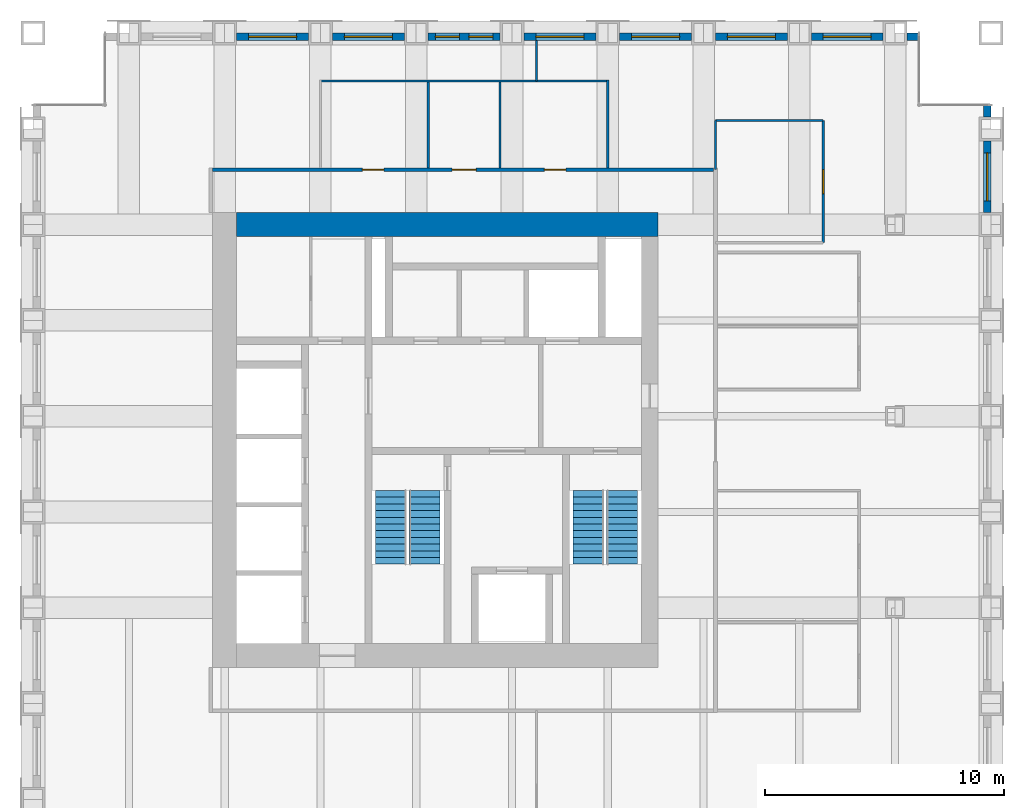
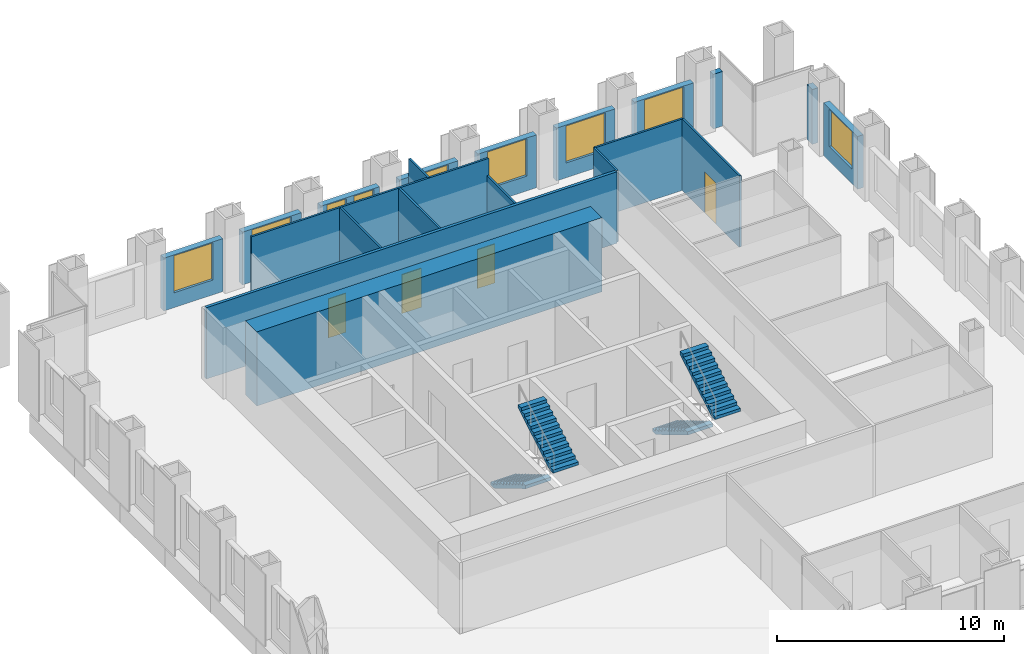
# One storey, part 10 of 11: 20 walls, 9 windows, 4 doors, 4 stair flights, 13 openings, 2 elements without a shape of their own.
"""IFC4 building model written with IfcOpenShell, lengths in metres."""

from ifc_helpers import new_model, si_unit, direction, frame, frame_2d, origin, place, context, subcontext, project, spatial, polyline, rectangle, outline, extrude, material, layer, layer_set, type_object, element, fill, aggregate, save


model = new_model("IFC4")

# Units and contexts
model_context = context("Model", 3, precision=1e-05, world=origin(), true_north=direction((0.0, 1.0)))
body_context = subcontext(model_context, "Body", "Model", "MODEL_VIEW")
ifc_project = project(units=[si_unit("LENGTHUNIT", "METRE"), si_unit("AREAUNIT", "SQUARE_METRE"), si_unit("VOLUMEUNIT", "CUBIC_METRE"), si_unit("PLANEANGLEUNIT", "RADIAN"), si_unit("MASSUNIT", "GRAM", prefix="KILO")], contexts=[model_context])

# Site, building, storey
site_placement = place(None, origin())
site = spatial("IfcSite", under=ifc_project, at=site_placement, CompositionType="ELEMENT")
building_placement = place(site_placement, origin())
building = spatial("IfcBuilding", under=site, at=building_placement, Name="Rimbunsela Tower", CompositionType="ELEMENT")
storey_placement = place(building_placement, frame((0.0, 0.0, 250.199951171875)))
storey = spatial("IfcBuildingStorey", under=building, at=storey_placement, Name="L60", CompositionType="ELEMENT", Elevation=250.199951171875)

# Walls
ifc_material_1 = material(Name="Concrete fc' 80 MPa", Category="concrete")
ifc_layer_1 = layer(ifc_material_1, 1.0)
ifc_layer_set_1 = layer_set([ifc_layer_1], Name="Core wall 1000")
wall_type_1 = type_object("IfcWallType", Name="Core wall 1000", PredefinedType="SHEAR", material=ifc_layer_set_1)
wall_1_placement = place(storey_placement, frame((18.5, 36.0, -0.14990234375), z_axis=(0.0, 0.0, 1.0), x_axis=(1.0, 0.0, 0.0)))
element("IfcWall", 1, at=wall_1_placement, inside=storey, type_object=wall_type_1, Name="Core wall north", PredefinedType="SHEAR", context=body_context, shape_type="SweptSolid", body=[
    extrude(rectangle(XDim=17.60009765625, YDim=1.0, at=frame_2d((8.800048828125, 0.0))), origin(), (0.0, 0.0, 1.0), 4.0),
])
ifc_material_2 = material(Name="Gypsum board on steel studs", Category="steel")
ifc_layer_2 = layer(ifc_material_2, 0.10009765625)
ifc_layer_set_2 = layer_set([ifc_layer_2], Name="Office partition 100")
wall_type_2 = type_object("IfcWallType", Name="Office partition 100", PredefinedType="PARTITIONING", material=ifc_layer_set_2)
wall_2_placement = place(storey_placement, frame((31.02490234375, 43.699951171875, 0.0), z_axis=(0.0, 0.0, 1.0), x_axis=(0.0, -1.0, 0.0)))
element("IfcWall", 2, at=wall_2_placement, inside=storey, type_object=wall_type_2, Name="Office partition", PredefinedType="PARTITIONING", context=body_context, shape_type="SweptSolid", body=[
    extrude(rectangle(XDim=1.699951171875, YDim=0.10009765625, at=frame_2d((0.85009765625, 0.0))), origin(), (0.0, 0.0, 1.0), 3.85009765625),
])

# Wall, opening, door
wall_3_placement = place(storey_placement, frame((43.0, 35.25, 0.0), z_axis=(0.0, 0.0, 1.0), x_axis=(0.0, 1.0, 0.0)))
wall_3 = element("IfcWall", 3, at=wall_3_placement, inside=storey, type_object=wall_type_2, Name="Office partition", PredefinedType="PARTITIONING", context=body_context, shape_type="SweptSolid", body=[
    extrude(rectangle(XDim=5.10009765625, YDim=0.10009765625, at=frame_2d((2.550048828125, 0.0))), origin(), (0.0, 0.0, 1.0), 3.85009765625),
])
opening_1_placement = place(wall_3_placement, frame((2.050048828125, 0.0, 0.0)))
opening_1 = element("IfcOpeningElement", 4, at=opening_1_placement, cuts=wall_3, Name="Opening D17", PredefinedType="OPENING", context=body_context, shape_type="SweptSolid", body=[
    extrude(rectangle(XDim=1.0, YDim=2.199951171875, at=frame_2d((0.5, 1.10009765625))), frame((0.0, 0.06005859375, 0.0), z_axis=(0.0, -1.0, 0.0), x_axis=(1.0, 0.0, 0.0)), (0.0, 0.0, 1.0), 0.1201171875),
])
ifc_material_3 = material(Name="Glazed aluminium door", Category="aluminium")
door_type_1 = type_object("IfcDoorType", Name="Meeting room door 1000 glazed", OperationType="SINGLE_SWING_RIGHT", PredefinedType="DOOR", material=ifc_material_3)
door_1_placement = place(opening_1_placement, origin())
door_1 = element("IfcDoor", 5, at=door_1_placement, inside=storey, type_object=door_type_1, Name="Reception door", OperationType="SINGLE_SWING_RIGHT", OverallHeight=2.199951171875, OverallWidth=1.0, PredefinedType="DOOR", context=body_context, shape_type="SweptSolid", body=[
    extrude(rectangle(XDim=1.0, YDim=2.199951171875, at=frame_2d((0.5, 1.10009765625))), frame((0.0, 0.02490234375, 0.0), z_axis=(0.0, -1.0, 0.0), x_axis=(1.0, 0.0, 0.0)), (0.0, 0.0, 1.0), 0.050048828125),
])
fill(opening_1, door_1)

# Walls
wall_4_placement = place(storey_placement, frame((43.0, 40.35009765625, 0.0), z_axis=(0.0, 0.0, 1.0), x_axis=(-1.0, 0.0, 0.0)))
element("IfcWall", 6, at=wall_4_placement, inside=storey, type_object=wall_type_2, Name="Office partition", PredefinedType="PARTITIONING", context=body_context, shape_type="SweptSolid", body=[
    extrude(rectangle(XDim=4.5, YDim=0.10009765625, at=frame_2d((2.25, 0.0))), origin(), (0.0, 0.0, 1.0), 3.85009765625),
])
wall_5_placement = place(storey_placement, frame((38.5, 40.35009765625, 0.0), z_axis=(0.0, 0.0, 1.0), x_axis=(0.0, -1.0, 0.0)))
element("IfcWall", 7, at=wall_5_placement, inside=storey, type_object=wall_type_2, Name="Office partition", PredefinedType="PARTITIONING", context=body_context, shape_type="SweptSolid", body=[
    extrude(rectangle(XDim=2.050048828125, YDim=0.10009765625, at=frame_2d((1.02490234375, 0.0))), origin(), (0.0, 0.0, 1.0), 3.85009765625),
])

# Wall, opening, window
ifc_material_4 = material(Name="Precast concrete fc' 35 MPa", Category="concrete")
ifc_layer_3 = layer(ifc_material_4, 0.300048828125)
ifc_layer_set_3 = layer_set([ifc_layer_3], Name="Precast concrete fc' 35 MPa")
wall_type_3 = type_object("IfcWallType", Name="Precast facade panel 300", PredefinedType="ELEMENTEDWALL", material=ifc_layer_set_3)
wall_6_placement = place(storey_placement, frame((49.85009765625, 36.5, 0.0), z_axis=(0.0, 0.0, 1.0), x_axis=(0.0, 1.0, 0.0)))
wall_6 = element("IfcWall", 8, at=wall_6_placement, inside=storey, type_object=wall_type_3, Name="Facade panel E L60", PredefinedType="ELEMENTEDWALL", context=body_context, shape_type="SweptSolid", body=[
    extrude(rectangle(XDim=3.0, YDim=0.300048828125, at=frame_2d((1.5, 0.0))), origin(), (0.0, 0.0, 1.0), 2.85009765625),
])
opening_2_placement = place(wall_6_placement, frame((0.5, 0.0, 0.800048828125)))
opening_2 = element("IfcOpeningElement", 9, at=opening_2_placement, cuts=wall_6, Name="Opening W1", PredefinedType="OPENING", context=body_context, shape_type="SweptSolid", body=[
    extrude(rectangle(XDim=2.0, YDim=2.0, at=frame_2d((1.0, 1.0))), frame((0.0, 0.159912109375, 0.0), z_axis=(0.0, -1.0, 0.0), x_axis=(1.0, 0.0, 0.0)), (0.0, 0.0, 1.0), 0.320068359375),
])
ifc_material_5 = material(Name="Clear glass in aluminium frame", Category="aluminium")
window_type_1 = type_object("IfcWindowType", Name="Window W1 2000x2000", PartitioningType="DOUBLE_PANEL_VERTICAL", PredefinedType="WINDOW", material=ifc_material_5)
window_1_placement = place(opening_2_placement, origin())
window_1 = element("IfcWindow", 10, at=window_1_placement, inside=storey, type_object=window_type_1, Name="Window L60", OverallHeight=2.0, OverallWidth=2.0, PartitioningType="SINGLE_PANEL", PredefinedType="WINDOW", context=body_context, shape_type="SweptSolid", body=[
    extrude(rectangle(XDim=2.0, YDim=2.0, at=frame_2d((1.0, 1.0))), frame((0.0, 0.030029296875, 0.0), z_axis=(0.0, -1.0, 0.0), x_axis=(1.0, 0.0, 0.0)), (0.0, 0.0, 1.0), 0.06005859375),
])
fill(opening_2, window_1)

# Wall
wall_7_placement = place(storey_placement, frame((49.85009765625, 40.5, 0.0), z_axis=(0.0, 0.0, 1.0), x_axis=(0.0, 1.0, 0.0)))
element("IfcWall", 11, at=wall_7_placement, inside=storey, type_object=wall_type_3, Name="Facade panel E L60", PredefinedType="ELEMENTEDWALL", context=body_context, shape_type="SweptSolid", body=[
    extrude(rectangle(XDim=0.469970703125, YDim=0.300048828125, at=frame_2d((0.23486328125, 0.0))), origin(), (0.0, 0.0, 1.0), 2.949951171875),
])

# Wall, opening, window
wall_8_placement = place(storey_placement, frame((21.5, 43.85009765625, 0.0), z_axis=(0.0, 0.0, 1.0), x_axis=(-1.0, 0.0, 0.0)))
wall_8 = element("IfcWall", 12, at=wall_8_placement, inside=storey, type_object=wall_type_3, Name="Facade panel N L60", PredefinedType="ELEMENTEDWALL", context=body_context, shape_type="SweptSolid", body=[
    extrude(rectangle(XDim=3.0, YDim=0.300048828125, at=frame_2d((1.5, 0.0))), origin(), (0.0, 0.0, 1.0), 2.85009765625),
])
opening_3_placement = place(wall_8_placement, frame((0.5, 0.0, 0.800048828125)))
opening_3 = element("IfcOpeningElement", 13, at=opening_3_placement, cuts=wall_8, Name="Opening W1", PredefinedType="OPENING", context=body_context, shape_type="SweptSolid", body=[
    extrude(rectangle(XDim=2.0, YDim=2.0, at=frame_2d((1.0, 1.0))), frame((0.0, 0.159912109375, 0.0), z_axis=(0.0, -1.0, 0.0), x_axis=(1.0, 0.0, 0.0)), (0.0, 0.0, 1.0), 0.320068359375),
])
window_2_placement = place(opening_3_placement, origin())
window_2 = element("IfcWindow", 14, at=window_2_placement, inside=storey, type_object=window_type_1, Name="Window L60", OverallHeight=2.0, OverallWidth=2.0, PartitioningType="SINGLE_PANEL", PredefinedType="WINDOW", context=body_context, shape_type="SweptSolid", body=[
    extrude(rectangle(XDim=2.0, YDim=2.0, at=frame_2d((1.0, 1.0))), frame((0.0, 0.030029296875, 0.0), z_axis=(0.0, -1.0, 0.0), x_axis=(1.0, 0.0, 0.0)), (0.0, 0.0, 1.0), 0.06005859375),
])
fill(opening_3, window_2)

wall_9_placement = place(storey_placement, frame((25.5, 43.85009765625, 0.0), z_axis=(0.0, 0.0, 1.0), x_axis=(-1.0, 0.0, 0.0)))
wall_9 = element("IfcWall", 15, at=wall_9_placement, inside=storey, type_object=wall_type_3, Name="Facade panel N L60", PredefinedType="ELEMENTEDWALL", context=body_context, shape_type="SweptSolid", body=[
    extrude(rectangle(XDim=3.0, YDim=0.300048828125, at=frame_2d((1.5, 0.0))), origin(), (0.0, 0.0, 1.0), 2.85009765625),
])
opening_4_placement = place(wall_9_placement, frame((0.5, 0.0, 0.800048828125)))
opening_4 = element("IfcOpeningElement", 16, at=opening_4_placement, cuts=wall_9, Name="Opening W1", PredefinedType="OPENING", context=body_context, shape_type="SweptSolid", body=[
    extrude(rectangle(XDim=2.0, YDim=2.0, at=frame_2d((1.0, 1.0))), frame((0.0, 0.159912109375, 0.0), z_axis=(0.0, -1.0, 0.0), x_axis=(1.0, 0.0, 0.0)), (0.0, 0.0, 1.0), 0.320068359375),
])
window_3_placement = place(opening_4_placement, origin())
window_3 = element("IfcWindow", 17, at=window_3_placement, inside=storey, type_object=window_type_1, Name="Window L60", OverallHeight=2.0, OverallWidth=2.0, PartitioningType="SINGLE_PANEL", PredefinedType="WINDOW", context=body_context, shape_type="SweptSolid", body=[
    extrude(rectangle(XDim=2.0, YDim=2.0, at=frame_2d((1.0, 1.0))), frame((0.0, 0.030029296875, 0.0), z_axis=(0.0, -1.0, 0.0), x_axis=(1.0, 0.0, 0.0)), (0.0, 0.0, 1.0), 0.06005859375),
])
fill(opening_4, window_3)

# Wall, openings, windows
wall_10_placement = place(storey_placement, frame((29.5, 43.85009765625, 0.0), z_axis=(0.0, 0.0, 1.0), x_axis=(-1.0, 0.0, 0.0)))
wall_10 = element("IfcWall", 18, at=wall_10_placement, inside=storey, type_object=wall_type_3, Name="Facade panel N L60", PredefinedType="ELEMENTEDWALL", context=body_context, shape_type="SweptSolid", body=[
    extrude(rectangle(XDim=3.0, YDim=0.300048828125, at=frame_2d((1.5, 0.0))), origin(), (0.0, 0.0, 1.0), 2.85009765625),
])
opening_5_placement = place(wall_10_placement, frame((1.699951171875, 0.0, 0.800048828125)))
opening_5 = element("IfcOpeningElement", 19, at=opening_5_placement, cuts=wall_10, Name="Opening W5", PredefinedType="OPENING", context=body_context, shape_type="SweptSolid", body=[
    extrude(rectangle(XDim=1.0, YDim=2.0, at=frame_2d((0.5, 1.0))), frame((0.0, 0.159912109375, 0.0), z_axis=(0.0, -1.0, 0.0), x_axis=(1.0, 0.0, 0.0)), (0.0, 0.0, 1.0), 0.320068359375),
])
opening_6_placement = place(wall_10_placement, frame((0.300048828125, 0.0, 0.800048828125)))
opening_6 = element("IfcOpeningElement", 20, at=opening_6_placement, cuts=wall_10, Name="Opening W5", PredefinedType="OPENING", context=body_context, shape_type="SweptSolid", body=[
    extrude(rectangle(XDim=1.0, YDim=2.0, at=frame_2d((0.5, 1.0))), frame((0.0, 0.159912109375, 0.0), z_axis=(0.0, -1.0, 0.0), x_axis=(1.0, 0.0, 0.0)), (0.0, 0.0, 1.0), 0.320068359375),
])
ifc_material_6 = material(Name="Clear glass in aluminium frame", Category="aluminium")
window_type_2 = type_object("IfcWindowType", Name="Window W5 1000x2000", PartitioningType="SINGLE_PANEL", PredefinedType="WINDOW", material=ifc_material_6)
window_4_placement = place(opening_5_placement, origin())
window_4 = element("IfcWindow", 21, at=window_4_placement, inside=storey, type_object=window_type_2, Name="Window L60", OverallHeight=2.0, OverallWidth=1.0, PartitioningType="SINGLE_PANEL", PredefinedType="WINDOW", context=body_context, shape_type="SweptSolid", body=[
    extrude(rectangle(XDim=1.0, YDim=2.0, at=frame_2d((0.5, 1.0))), frame((0.0, 0.030029296875, 0.0), z_axis=(0.0, -1.0, 0.0), x_axis=(1.0, 0.0, 0.0)), (0.0, 0.0, 1.0), 0.06005859375),
])
fill(opening_5, window_4)
window_5_placement = place(opening_6_placement, origin())
window_5 = element("IfcWindow", 22, at=window_5_placement, inside=storey, type_object=window_type_2, Name="Window L60", OverallHeight=2.0, OverallWidth=1.0, PartitioningType="SINGLE_PANEL", PredefinedType="WINDOW", context=body_context, shape_type="SweptSolid", body=[
    extrude(rectangle(XDim=1.0, YDim=2.0, at=frame_2d((0.5, 1.0))), frame((0.0, 0.030029296875, 0.0), z_axis=(0.0, -1.0, 0.0), x_axis=(1.0, 0.0, 0.0)), (0.0, 0.0, 1.0), 0.06005859375),
])
fill(opening_6, window_5)

# Wall, opening, window
wall_11_placement = place(storey_placement, frame((33.5, 43.85009765625, 0.0), z_axis=(0.0, 0.0, 1.0), x_axis=(-1.0, 0.0, 0.0)))
wall_11 = element("IfcWall", 23, at=wall_11_placement, inside=storey, type_object=wall_type_3, Name="Facade panel N L60", PredefinedType="ELEMENTEDWALL", context=body_context, shape_type="SweptSolid", body=[
    extrude(rectangle(XDim=3.0, YDim=0.300048828125, at=frame_2d((1.5, 0.0))), origin(), (0.0, 0.0, 1.0), 2.85009765625),
])
opening_7_placement = place(wall_11_placement, frame((0.5, 0.0, 0.800048828125)))
opening_7 = element("IfcOpeningElement", 24, at=opening_7_placement, cuts=wall_11, Name="Opening W1", PredefinedType="OPENING", context=body_context, shape_type="SweptSolid", body=[
    extrude(rectangle(XDim=2.0, YDim=2.0, at=frame_2d((1.0, 1.0))), frame((0.0, 0.159912109375, 0.0), z_axis=(0.0, -1.0, 0.0), x_axis=(1.0, 0.0, 0.0)), (0.0, 0.0, 1.0), 0.320068359375),
])
window_6_placement = place(opening_7_placement, origin())
window_6 = element("IfcWindow", 25, at=window_6_placement, inside=storey, type_object=window_type_1, Name="Window L60", OverallHeight=2.0, OverallWidth=2.0, PartitioningType="SINGLE_PANEL", PredefinedType="WINDOW", context=body_context, shape_type="SweptSolid", body=[
    extrude(rectangle(XDim=2.0, YDim=2.0, at=frame_2d((1.0, 1.0))), frame((0.0, 0.030029296875, 0.0), z_axis=(0.0, -1.0, 0.0), x_axis=(1.0, 0.0, 0.0)), (0.0, 0.0, 1.0), 0.06005859375),
])
fill(opening_7, window_6)

wall_12_placement = place(storey_placement, frame((37.5, 43.85009765625, 0.0), z_axis=(0.0, 0.0, 1.0), x_axis=(-1.0, 0.0, 0.0)))
wall_12 = element("IfcWall", 26, at=wall_12_placement, inside=storey, type_object=wall_type_3, Name="Facade panel N L60", PredefinedType="ELEMENTEDWALL", context=body_context, shape_type="SweptSolid", body=[
    extrude(rectangle(XDim=3.0, YDim=0.300048828125, at=frame_2d((1.5, 0.0))), origin(), (0.0, 0.0, 1.0), 2.85009765625),
])
opening_8_placement = place(wall_12_placement, frame((0.5, 0.0, 0.800048828125)))
opening_8 = element("IfcOpeningElement", 27, at=opening_8_placement, cuts=wall_12, Name="Opening W1", PredefinedType="OPENING", context=body_context, shape_type="SweptSolid", body=[
    extrude(rectangle(XDim=2.0, YDim=2.0, at=frame_2d((1.0, 1.0))), frame((0.0, 0.159912109375, 0.0), z_axis=(0.0, -1.0, 0.0), x_axis=(1.0, 0.0, 0.0)), (0.0, 0.0, 1.0), 0.320068359375),
])
window_7_placement = place(opening_8_placement, origin())
window_7 = element("IfcWindow", 28, at=window_7_placement, inside=storey, type_object=window_type_1, Name="Window L60", OverallHeight=2.0, OverallWidth=2.0, PartitioningType="SINGLE_PANEL", PredefinedType="WINDOW", context=body_context, shape_type="SweptSolid", body=[
    extrude(rectangle(XDim=2.0, YDim=2.0, at=frame_2d((1.0, 1.0))), frame((0.0, 0.030029296875, 0.0), z_axis=(0.0, -1.0, 0.0), x_axis=(1.0, 0.0, 0.0)), (0.0, 0.0, 1.0), 0.06005859375),
])
fill(opening_8, window_7)

wall_13_placement = place(storey_placement, frame((41.5, 43.85009765625, 0.0), z_axis=(0.0, 0.0, 1.0), x_axis=(-1.0, 0.0, 0.0)))
wall_13 = element("IfcWall", 29, at=wall_13_placement, inside=storey, type_object=wall_type_3, Name="Facade panel N L60", PredefinedType="ELEMENTEDWALL", context=body_context, shape_type="SweptSolid", body=[
    extrude(rectangle(XDim=3.0, YDim=0.300048828125, at=frame_2d((1.5, 0.0))), origin(), (0.0, 0.0, 1.0), 2.85009765625),
])
opening_9_placement = place(wall_13_placement, frame((0.5, 0.0, 0.800048828125)))
opening_9 = element("IfcOpeningElement", 30, at=opening_9_placement, cuts=wall_13, Name="Opening W1", PredefinedType="OPENING", context=body_context, shape_type="SweptSolid", body=[
    extrude(rectangle(XDim=2.0, YDim=2.0, at=frame_2d((1.0, 1.0))), frame((0.0, 0.159912109375, 0.0), z_axis=(0.0, -1.0, 0.0), x_axis=(1.0, 0.0, 0.0)), (0.0, 0.0, 1.0), 0.320068359375),
])
window_8_placement = place(opening_9_placement, origin())
window_8 = element("IfcWindow", 31, at=window_8_placement, inside=storey, type_object=window_type_1, Name="Window L60", OverallHeight=2.0, OverallWidth=2.0, PartitioningType="SINGLE_PANEL", PredefinedType="WINDOW", context=body_context, shape_type="SweptSolid", body=[
    extrude(rectangle(XDim=2.0, YDim=2.0, at=frame_2d((1.0, 1.0))), frame((0.0, 0.030029296875, 0.0), z_axis=(0.0, -1.0, 0.0), x_axis=(1.0, 0.0, 0.0)), (0.0, 0.0, 1.0), 0.06005859375),
])
fill(opening_9, window_8)

wall_14_placement = place(storey_placement, frame((45.5, 43.85009765625, 0.0), z_axis=(0.0, 0.0, 1.0), x_axis=(-1.0, 0.0, 0.0)))
wall_14 = element("IfcWall", 32, at=wall_14_placement, inside=storey, type_object=wall_type_3, Name="Facade panel N L60", PredefinedType="ELEMENTEDWALL", context=body_context, shape_type="SweptSolid", body=[
    extrude(rectangle(XDim=3.0, YDim=0.300048828125, at=frame_2d((1.5, 0.0))), origin(), (0.0, 0.0, 1.0), 2.85009765625),
])
opening_10_placement = place(wall_14_placement, frame((0.5, 0.0, 0.800048828125)))
opening_10 = element("IfcOpeningElement", 33, at=opening_10_placement, cuts=wall_14, Name="Opening W1", PredefinedType="OPENING", context=body_context, shape_type="SweptSolid", body=[
    extrude(rectangle(XDim=2.0, YDim=2.0, at=frame_2d((1.0, 1.0))), frame((0.0, 0.159912109375, 0.0), z_axis=(0.0, -1.0, 0.0), x_axis=(1.0, 0.0, 0.0)), (0.0, 0.0, 1.0), 0.320068359375),
])
window_9_placement = place(opening_10_placement, origin())
window_9 = element("IfcWindow", 34, at=window_9_placement, inside=storey, type_object=window_type_1, Name="Window L60", OverallHeight=2.0, OverallWidth=2.0, PartitioningType="SINGLE_PANEL", PredefinedType="WINDOW", context=body_context, shape_type="SweptSolid", body=[
    extrude(rectangle(XDim=2.0, YDim=2.0, at=frame_2d((1.0, 1.0))), frame((0.0, 0.030029296875, 0.0), z_axis=(0.0, -1.0, 0.0), x_axis=(1.0, 0.0, 0.0)), (0.0, 0.0, 1.0), 0.06005859375),
])
fill(opening_10, window_9)

# Wall
wall_15_placement = place(storey_placement, frame((46.969970703125, 43.85009765625, 0.0), z_axis=(0.0, 0.0, 1.0), x_axis=(-1.0, 0.0, 0.0)))
element("IfcWall", 35, at=wall_15_placement, inside=storey, type_object=wall_type_3, Name="Facade panel N L60", PredefinedType="ELEMENTEDWALL", context=body_context, shape_type="SweptSolid", body=[
    extrude(rectangle(XDim=0.469970703125, YDim=0.300048828125, at=frame_2d((0.23486328125, 0.0))), origin(), (0.0, 0.0, 1.0), 2.949951171875),
])

# Wall, openings, doors
ifc_material_7 = material(Name="Fire-rated gypsum board on steel studs, EI 60", Category="steel")
ifc_layer_4 = layer(ifc_material_7, 0.14990234375)
ifc_layer_set_4 = layer_set([ifc_layer_4], Name="Rated corridor wall 150")
wall_type_4 = type_object("IfcWallType", Name="Rated corridor wall 150", PredefinedType="PARTITIONING", material=ifc_layer_set_4)
wall_16_placement = place(storey_placement, frame((17.5, 38.300048828125, 0.0), z_axis=(0.0, 0.0, 1.0), x_axis=(1.0, 0.0, 0.0)))
wall_16 = element("IfcWall", 36, at=wall_16_placement, inside=storey, type_object=wall_type_4, Name="Corridor wall north", PredefinedType="PARTITIONING", context=body_context, shape_type="SweptSolid", body=[
    extrude(rectangle(XDim=20.925048828125, YDim=0.14990234375, at=frame_2d((10.46240234375, 0.0))), origin(), (0.0, 0.0, 1.0), 3.85009765625),
])
opening_11_placement = place(wall_16_placement, frame((6.25, 0.0, 0.0)))
opening_11 = element("IfcOpeningElement", 37, at=opening_11_placement, cuts=wall_16, Name="Opening D04", PredefinedType="OPENING", context=body_context, shape_type="SweptSolid", body=[
    extrude(rectangle(XDim=0.89990234375, YDim=2.10009765625, at=frame_2d((0.449951171875, 1.050048828125))), frame((0.0, 0.0849609375, 0.0), z_axis=(0.0, -1.0, 0.0), x_axis=(1.0, 0.0, 0.0)), (0.0, 0.0, 1.0), 0.169921875),
])
opening_12_placement = place(wall_16_placement, frame((10.0, 0.0, 0.0)))
opening_12 = element("IfcOpeningElement", 38, at=opening_12_placement, cuts=wall_16, Name="Opening D05", PredefinedType="OPENING", context=body_context, shape_type="SweptSolid", body=[
    extrude(rectangle(XDim=1.0, YDim=2.10009765625, at=frame_2d((0.5, 1.050048828125))), frame((0.0, 0.0849609375, 0.0), z_axis=(0.0, -1.0, 0.0), x_axis=(1.0, 0.0, 0.0)), (0.0, 0.0, 1.0), 0.169921875),
])
opening_13_placement = place(wall_16_placement, frame((13.85009765625, 0.0, 0.0)))
opening_13 = element("IfcOpeningElement", 39, at=opening_13_placement, cuts=wall_16, Name="Opening D04", PredefinedType="OPENING", context=body_context, shape_type="SweptSolid", body=[
    extrude(rectangle(XDim=0.89990234375, YDim=2.10009765625, at=frame_2d((0.449951171875, 1.050048828125))), frame((0.0, 0.0849609375, 0.0), z_axis=(0.0, -1.0, 0.0), x_axis=(1.0, 0.0, 0.0)), (0.0, 0.0, 1.0), 0.169921875),
])
ifc_material_8 = material(Name="Timber door", Category="wood")
door_type_2 = type_object("IfcDoorType", Name="Accessible WC door 1000", OperationType="SLIDING_TO_LEFT", PredefinedType="DOOR", material=ifc_material_8)
door_2_placement = place(opening_12_placement, origin())
door_2 = element("IfcDoor", 40, at=door_2_placement, inside=storey, type_object=door_type_2, Name="Accessible WC door", OperationType="SLIDING_TO_LEFT", OverallHeight=2.10009765625, OverallWidth=1.0, PredefinedType="DOOR", context=body_context, shape_type="SweptSolid", body=[
    extrude(rectangle(XDim=1.0, YDim=2.10009765625, at=frame_2d((0.5, 1.050048828125))), frame((0.0, 0.02490234375, 0.0), z_axis=(0.0, -1.0, 0.0), x_axis=(1.0, 0.0, 0.0)), (0.0, 0.0, 1.0), 0.050048828125),
])
fill(opening_12, door_2)
ifc_material_9 = material(Name="Timber door", Category="wood")
door_type_3 = type_object("IfcDoorType", Name="Toilet door 900", OperationType="SINGLE_SWING_LEFT", PredefinedType="DOOR", material=ifc_material_9)
door_3_placement = place(opening_11_placement, origin())
door_3 = element("IfcDoor", 41, at=door_3_placement, inside=storey, type_object=door_type_3, Name="Female WC door", OperationType="SINGLE_SWING_LEFT", OverallHeight=2.10009765625, OverallWidth=0.89990234375, PredefinedType="DOOR", context=body_context, shape_type="SweptSolid", body=[
    extrude(rectangle(XDim=0.89990234375, YDim=2.10009765625, at=frame_2d((0.449951171875, 1.050048828125))), frame((0.0, 0.02490234375, 0.0), z_axis=(0.0, -1.0, 0.0), x_axis=(1.0, 0.0, 0.0)), (0.0, 0.0, 1.0), 0.050048828125),
])
fill(opening_11, door_3)
door_4_placement = place(opening_13_placement, origin())
door_4 = element("IfcDoor", 42, at=door_4_placement, inside=storey, type_object=door_type_3, Name="Male WC door", OperationType="SINGLE_SWING_LEFT", OverallHeight=2.10009765625, OverallWidth=0.89990234375, PredefinedType="DOOR", context=body_context, shape_type="SweptSolid", body=[
    extrude(rectangle(XDim=0.89990234375, YDim=2.10009765625, at=frame_2d((0.449951171875, 1.050048828125))), frame((0.0, 0.02490234375, 0.0), z_axis=(0.0, -1.0, 0.0), x_axis=(1.0, 0.0, 0.0)), (0.0, 0.0, 1.0), 0.050048828125),
])
fill(opening_13, door_4)

# Walls
ifc_material_10 = material(Name="Concrete blockwork", Category="masonry")
ifc_layer_5 = layer(ifc_material_10, 0.10009765625)
ifc_layer_set_5 = layer_set([ifc_layer_5], Name="Toilet partition 100")
wall_type_5 = type_object("IfcWallType", Name="Toilet partition 100", PredefinedType="PARTITIONING", material=ifc_layer_set_5)
wall_17_placement = place(storey_placement, frame((34.0, 38.375, 0.0), z_axis=(0.0, 0.0, 1.0), x_axis=(0.0, 1.0, 0.0)))
element("IfcWall", 43, at=wall_17_placement, inside=storey, type_object=wall_type_5, Name="Toilet block wall east", PredefinedType="PARTITIONING", context=body_context, shape_type="SweptSolid", body=[
    extrude(rectangle(XDim=3.675048828125, YDim=0.10009765625, at=frame_2d((1.83740234375, 0.0))), origin(), (0.0, 0.0, 1.0), 2.949951171875),
])
wall_18_placement = place(storey_placement, frame((21.949951171875, 42.0, 0.0), z_axis=(0.0, 0.0, 1.0), x_axis=(1.0, 0.0, 0.0)))
element("IfcWall", 44, at=wall_18_placement, inside=storey, type_object=wall_type_5, Name="Toilet block wall north", PredefinedType="PARTITIONING", context=body_context, shape_type="SweptSolid", body=[
    extrude(rectangle(XDim=12.10009765625, YDim=0.10009765625, at=frame_2d((6.050048828125, 0.0))), origin(), (0.0, 0.0, 1.0), 3.85009765625),
])
for number, where, z_axis, x_axis, name in (
    (45, (26.5, 38.375, 0.0), (0.0, 0.0, 1.0), (0.0, 1.0, 0.0), "Toilet partition"),
    (46, (29.5, 38.375, 0.0), (0.0, 0.0, 1.0), (0.0, 1.0, 0.0), "Toilet partition"),
):
    element("IfcWall", number, at=place(storey_placement, frame(where, z_axis=z_axis, x_axis=x_axis)), inside=storey, type_object=wall_type_5, Name=name, PredefinedType="PARTITIONING", context=body_context, shape_type="SweptSolid", body=[
        extrude(rectangle(XDim=3.574951171875, YDim=0.10009765625, at=frame_2d((1.78759765625, 0.0))), origin(), (0.0, 0.0, 1.0), 3.85009765625),
    ])

# Stair, stair flights
ifc_material_11 = material(Name="Concrete fc' 35 MPa", Category="concrete")
stair_type = type_object("IfcStairType", Name="Exit stair 24 risers", PredefinedType="HALF_TURN_STAIR", material=ifc_material_11)
stair_1_placement = place(storey_placement, origin())
stair_1 = element("IfcStair", 47, at=stair_1_placement, inside=storey, type_object=stair_type, Name="Exit stair A L60", PredefinedType="HALF_TURN_STAIR")
ifc_material_12 = material(Name="Concrete fc' 35 MPa", Category="concrete")
stair_flight_type = type_object("IfcStairFlightType", Name="Stair flight 12 risers 167", PredefinedType="STRAIGHT", material=ifc_material_12)
stair_flight_1_placement = place(storey_placement, frame((24.949951171875, 24.89990234375, 0.0), z_axis=(0.0, 0.0, 1.0), x_axis=(0.0, -1.0, 0.0)))
stair_flight_1 = element("IfcStairFlight", 48, at=stair_flight_1_placement, type_object=stair_flight_type, Name="ST-A flight 1", NumberOfRisers=12, NumberOfTreads=11, PredefinedType="STRAIGHT", RiserHeight=0.166666667, TreadLength=0.28, context=body_context, shape_type="SweptSolid", body=[
    extrude(outline(polyline([(0.0, 0.0), (0.0, 0.166748046875), (0.280029296875, 0.166748046875), (0.280029296875, 0.333251953125), (0.56005859375, 0.333251953125), (0.56005859375, 0.5), (0.840087890625, 0.5), (0.840087890625, 0.666748046875), (1.1201171875, 0.666748046875), (1.1201171875, 0.833251953125), (1.39990234375, 0.833251953125), (1.39990234375, 1.0), (1.679931640625, 1.0), (1.679931640625, 1.166748046875), (1.9599609375, 1.166748046875), (1.9599609375, 1.333251953125), (2.239990234375, 1.333251953125), (2.239990234375, 1.5), (2.52001953125, 1.5), (2.52001953125, 1.666748046875), (2.800048828125, 1.666748046875), (2.800048828125, 1.833251953125), (3.080078125, 1.833251953125), (3.080078125, 2.0), (3.080078125, 1.658935546875), (0.29296875, 0.0), (0.0, 0.0)])), frame((0.0, 0.64990234375, 0.0), z_axis=(0.0, -1.0, 0.0), x_axis=(1.0, 0.0, 0.0)), (0.0, 0.0, 1.0), 1.300048828125),
])
stair_flight_2_placement = place(storey_placement, frame((26.35009765625, 21.820068359375, 2.0), z_axis=(0.0, 0.0, 1.0), x_axis=(0.0, 1.0, 0.0)))
stair_flight_2 = element("IfcStairFlight", 49, at=stair_flight_2_placement, type_object=stair_flight_type, Name="ST-A flight 2", NumberOfRisers=12, NumberOfTreads=11, PredefinedType="STRAIGHT", RiserHeight=0.166666667, TreadLength=0.28, context=body_context, shape_type="SweptSolid", body=[
    extrude(outline(polyline([(0.0, 0.0), (0.0, 0.166748046875), (0.280029296875, 0.166748046875), (0.280029296875, 0.333251953125), (0.56005859375, 0.333251953125), (0.56005859375, 0.5), (0.840087890625, 0.5), (0.840087890625, 0.666748046875), (1.1201171875, 0.666748046875), (1.1201171875, 0.833251953125), (1.39990234375, 0.833251953125), (1.39990234375, 1.0), (1.679931640625, 1.0), (1.679931640625, 1.166748046875), (1.9599609375, 1.166748046875), (1.9599609375, 1.333251953125), (2.239990234375, 1.333251953125), (2.239990234375, 1.5), (2.52001953125, 1.5), (2.52001953125, 1.666748046875), (2.800048828125, 1.666748046875), (2.800048828125, 1.833251953125), (3.080078125, 1.833251953125), (3.080078125, 2.0), (3.080078125, 1.658935546875), (0.29296875, 0.0), (0.0, 0.0)])), frame((0.0, 0.64990234375, 0.0), z_axis=(0.0, -1.0, 0.0), x_axis=(1.0, 0.0, 0.0)), (0.0, 0.0, 1.0), 1.300048828125),
])
aggregate(stair_1, [stair_flight_1, stair_flight_2])

stair_2_placement = place(storey_placement, origin())
stair_2 = element("IfcStair", 50, at=stair_2_placement, inside=storey, type_object=stair_type, Name="Exit stair B L60", PredefinedType="HALF_TURN_STAIR")
stair_flight_3_placement = place(storey_placement, frame((33.199951171875, 24.89990234375, 0.0), z_axis=(0.0, 0.0, 1.0), x_axis=(0.0, -1.0, 0.0)))
stair_flight_3 = element("IfcStairFlight", 51, at=stair_flight_3_placement, type_object=stair_flight_type, Name="ST-B flight 1", NumberOfRisers=12, NumberOfTreads=11, PredefinedType="STRAIGHT", RiserHeight=0.166666667, TreadLength=0.28, context=body_context, shape_type="SweptSolid", body=[
    extrude(outline(polyline([(0.0, 0.0), (0.0, 0.166748046875), (0.280029296875, 0.166748046875), (0.280029296875, 0.333251953125), (0.56005859375, 0.333251953125), (0.56005859375, 0.5), (0.840087890625, 0.5), (0.840087890625, 0.666748046875), (1.1201171875, 0.666748046875), (1.1201171875, 0.833251953125), (1.39990234375, 0.833251953125), (1.39990234375, 1.0), (1.679931640625, 1.0), (1.679931640625, 1.166748046875), (1.9599609375, 1.166748046875), (1.9599609375, 1.333251953125), (2.239990234375, 1.333251953125), (2.239990234375, 1.5), (2.52001953125, 1.5), (2.52001953125, 1.666748046875), (2.800048828125, 1.666748046875), (2.800048828125, 1.833251953125), (3.080078125, 1.833251953125), (3.080078125, 2.0), (3.080078125, 1.658935546875), (0.29296875, 0.0), (0.0, 0.0)])), frame((0.0, 0.64990234375, 0.0), z_axis=(0.0, -1.0, 0.0), x_axis=(1.0, 0.0, 0.0)), (0.0, 0.0, 1.0), 1.300048828125),
])
stair_flight_4_placement = place(storey_placement, frame((34.60009765625, 21.820068359375, 2.0), z_axis=(0.0, 0.0, 1.0), x_axis=(0.0, 1.0, 0.0)))
stair_flight_4 = element("IfcStairFlight", 52, at=stair_flight_4_placement, type_object=stair_flight_type, Name="ST-B flight 2", NumberOfRisers=12, NumberOfTreads=11, PredefinedType="STRAIGHT", RiserHeight=0.166666667, TreadLength=0.28, context=body_context, shape_type="SweptSolid", body=[
    extrude(outline(polyline([(0.0, 0.0), (0.0, 0.166748046875), (0.280029296875, 0.166748046875), (0.280029296875, 0.333251953125), (0.56005859375, 0.333251953125), (0.56005859375, 0.5), (0.840087890625, 0.5), (0.840087890625, 0.666748046875), (1.1201171875, 0.666748046875), (1.1201171875, 0.833251953125), (1.39990234375, 0.833251953125), (1.39990234375, 1.0), (1.679931640625, 1.0), (1.679931640625, 1.166748046875), (1.9599609375, 1.166748046875), (1.9599609375, 1.333251953125), (2.239990234375, 1.333251953125), (2.239990234375, 1.5), (2.52001953125, 1.5), (2.52001953125, 1.666748046875), (2.800048828125, 1.666748046875), (2.800048828125, 1.833251953125), (3.080078125, 1.833251953125), (3.080078125, 2.0), (3.080078125, 1.658935546875), (0.29296875, 0.0), (0.0, 0.0)])), frame((0.0, 0.64990234375, 0.0), z_axis=(0.0, -1.0, 0.0), x_axis=(1.0, 0.0, 0.0)), (0.0, 0.0, 1.0), 1.300048828125),
])
aggregate(stair_2, [stair_flight_3, stair_flight_4])

save(model, "model.ifc")
